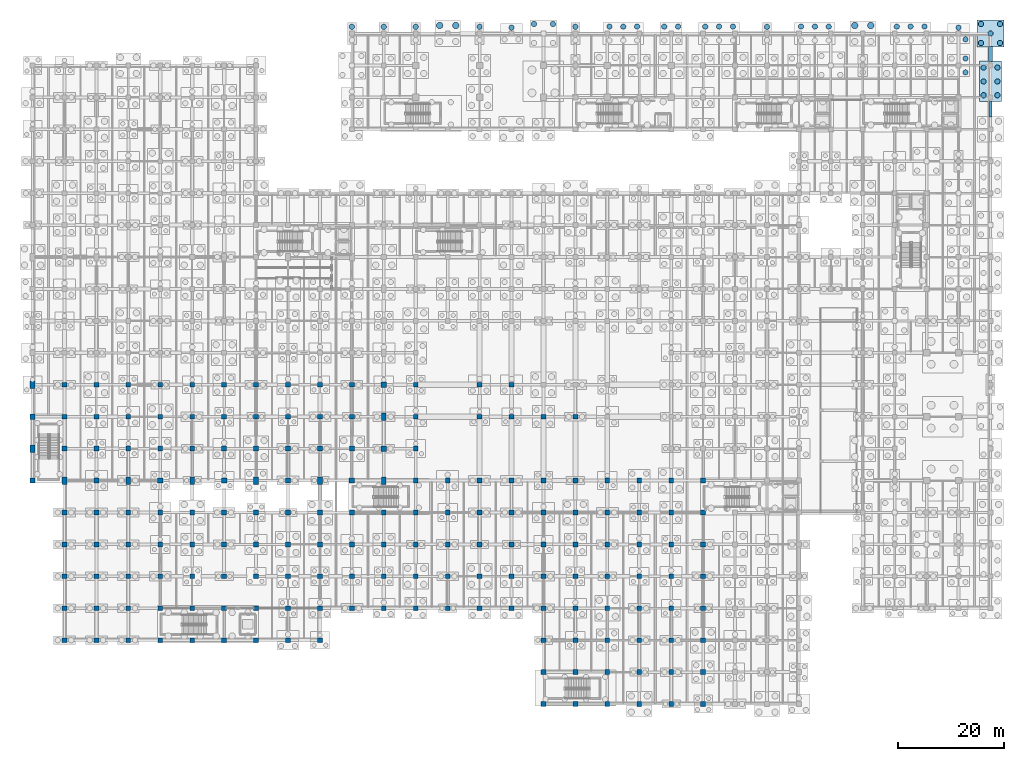
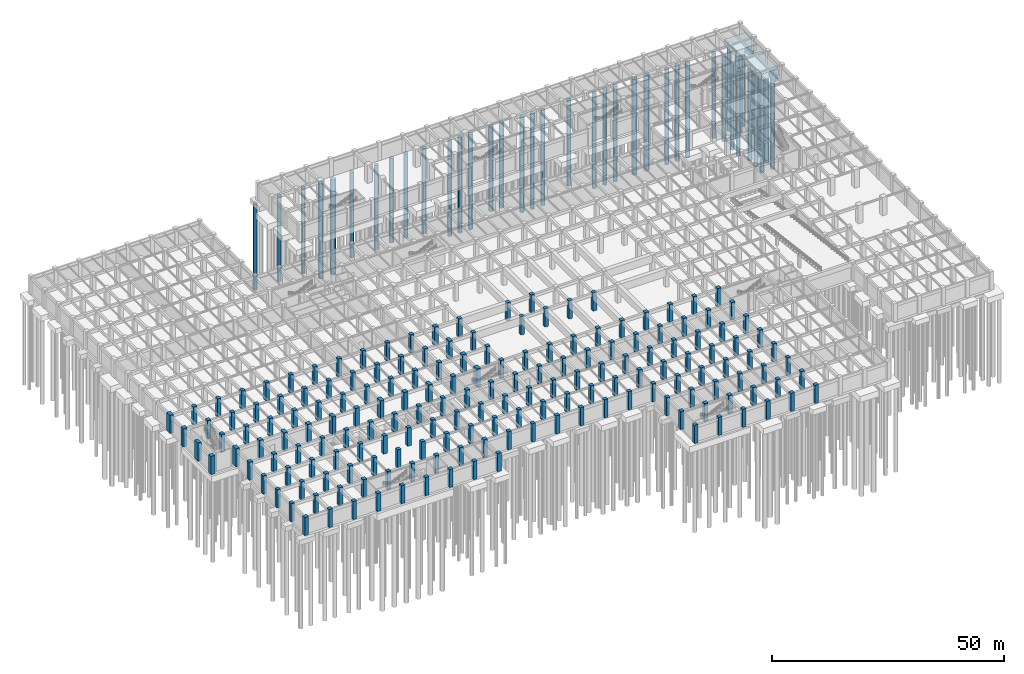
# One storey, part 23 of 54: 178 columns, 42 piles, 4 footings.
"""IFC4 building model written with IfcOpenShell, lengths in metres."""

import ifcopenshell
import ifcopenshell.guid

model = None  # the IFC model being written
_history = None  # IfcOwnerHistory: only IFC2X3 demands one
_inside = {}  # id of a spatial element -> (the spatial element, [elements in it])
_under = {}  # id of a project, library or spatial element -> (it, [spatial elements below it])
_declared = {}  # id of a project -> (the project, [libraries it declares])
_typed = {}  # id of a type object -> (the type object, [elements of that type])
_made_of = {}  # id of a material, layer set ... -> (it, [elements and type objects made of it])


def new_model(schema):
    """Start an empty IFC model of exactly this schema.

    Asked for "IFC4X3", IfcOpenShell would pick the latest addendum, in which some entities
    have other attributes; the version numbers below select the first issue.
    IFC2X3 requires an IfcOwnerHistory on every rooted entity: one is made here for all.
    """
    global model, _history
    if schema == "IFC4X3":
        model = ifcopenshell.file(schema_version=(4, 3, 0, 0))
    else:
        model = ifcopenshell.file(schema=schema)
    _inside.clear()
    _under.clear()
    _declared.clear()
    _typed.clear()
    _made_of.clear()
    _history = None
    if model.schema == "IFC2X3":
        org = make("IfcOrganization", Name="unknown")
        user = make(
            "IfcPersonAndOrganization",
            ThePerson=make("IfcPerson", FamilyName="unknown"),
            TheOrganization=org,
        )
        app = make(
            "IfcApplication",
            ApplicationDeveloper=org,
            Version="unknown",
            ApplicationFullName="unknown",
            ApplicationIdentifier="unknown",
        )
        _history = make(
            "IfcOwnerHistory",
            OwningUser=user,
            OwningApplication=app,
            ChangeAction="ADDED",
            CreationDate=0,
        )
    return model


def make(cls, **values):
    """One entity of the class cls with the attributes given. An attribute that is None is left unset."""
    return model.create_entity(
        cls, **{name: value for name, value in values.items() if value is not None}
    )


def rooted(cls, **values):
    """An entity with a GlobalId (a new one), such as an element, a storey or a relation."""
    return make(cls, GlobalId=ifcopenshell.guid.new(), OwnerHistory=_history, **values)


def si_unit(unit_type, name, prefix=None):
    """IfcSIUnit, for example si_unit("LENGTHUNIT", "METRE", prefix="MILLI")."""
    return make("IfcSIUnit", UnitType=unit_type, Prefix=prefix, Name=name)


def assignment(units):
    """IfcUnitAssignment: the units of a project."""
    return None if units is None else make("IfcUnitAssignment", Units=units)


def point(xyz):
    """IfcCartesianPoint."""
    return None if xyz is None else make("IfcCartesianPoint", Coordinates=xyz)


def direction(xyz):
    """IfcDirection."""
    return None if xyz is None else make("IfcDirection", DirectionRatios=xyz)


def frame(location, z_axis=None, x_axis=None):
    """IfcAxis2Placement3D, a coordinate frame: its origin and axes. An axis left out is left unset."""
    return make(
        "IfcAxis2Placement3D",
        Location=point(location),
        Axis=direction(z_axis),
        RefDirection=direction(x_axis),
    )


def frame_2d(location, x_axis=None):
    """IfcAxis2Placement2D, a coordinate frame in the plane: its origin and x axis."""
    return make(
        "IfcAxis2Placement2D", Location=point(location), RefDirection=direction(x_axis)
    )


def origin():
    """The frame at (0, 0, 0) with its axes left unset."""
    return frame((0.0, 0.0, 0.0))


def origin_2d():
    """The frame at (0, 0) in the plane with its x axis left unset."""
    return frame_2d((0.0, 0.0))


def place(relative_to, where):
    """IfcLocalPlacement: puts the frame where relative to a parent placement (None: the world)."""
    return make(
        "IfcLocalPlacement", PlacementRelTo=relative_to, RelativePlacement=where
    )


def context(
    kind, dimensions, precision=None, world=None, true_north=None, identifier=None
):
    """IfcGeometricRepresentationContext, for example the 3D "Model" context."""
    return make(
        "IfcGeometricRepresentationContext",
        ContextIdentifier=identifier,
        ContextType=kind,
        CoordinateSpaceDimension=dimensions,
        Precision=precision,
        WorldCoordinateSystem=world,
        TrueNorth=true_north,
    )


def subcontext(parent, identifier, kind, view, scale=None):
    """IfcGeometricRepresentationSubContext, for example "Body" below "Model"."""
    return make(
        "IfcGeometricRepresentationSubContext",
        ContextIdentifier=identifier,
        ContextType=kind,
        ParentContext=parent,
        TargetScale=scale,
        TargetView=view,
    )


def project(units=None, contexts=None):
    """IfcProject with its units and contexts."""
    return rooted(
        "IfcProject",
        Name="project",
        RepresentationContexts=contexts,
        UnitsInContext=assignment(units),
    )


def spatial(cls, under=None, at=None, **own):
    """A site, building, storey or space (cls), placed at a placement, below another one or the project."""
    s = rooted(cls, ObjectPlacement=at, **own)
    if under is not None:
        _under.setdefault(under.id(), (under, []))[1].append(s)
    return s


def profile(cls, at=None, kind="AREA", **sizes):
    """A parametric profile (cls). Its sizes go by their IFC names, for example OverallWidth=200.0."""
    return make(cls, ProfileType=kind, Position=at, **sizes)


def rectangle(**sizes):
    """IfcRectangleProfileDef."""
    return profile("IfcRectangleProfileDef", **sizes)


def circle(**sizes):
    """IfcCircleProfileDef."""
    return profile("IfcCircleProfileDef", **sizes)


def extrude(swept, where, along, depth):
    """IfcExtrudedAreaSolid: the profile swept, set in the frame where, extruded along a direction by depth."""
    return make(
        "IfcExtrudedAreaSolid",
        SweptArea=swept,
        Position=where,
        ExtrudedDirection=direction(along),
        Depth=depth,
    )


def shape(context_of_items, identifier, shape_type, items):
    """IfcShapeRepresentation: the items that make up one representation, for example the "Body"."""
    return make(
        "IfcShapeRepresentation",
        ContextOfItems=context_of_items,
        RepresentationIdentifier=identifier,
        RepresentationType=shape_type,
        Items=items,
    )


def material(Name=None, Category=None):
    """IfcMaterial."""
    return make("IfcMaterial", Name=Name, Category=Category)


def material_profile(
    of_material, cross_section, Name=None, Category=None, Priority=None
):
    """IfcMaterialProfile: a cross section and its material."""
    return make(
        "IfcMaterialProfile",
        Name=Name,
        Material=of_material,
        Profile=cross_section,
        Priority=Priority,
        Category=Category,
    )


def profile_set(profiles, Name=None, composite=None):
    """IfcMaterialProfileSet."""
    return make(
        "IfcMaterialProfileSet",
        Name=Name,
        MaterialProfiles=profiles,
        CompositeProfile=composite,
    )


def made_of(thing, what):
    """Note that an element or type object is made of a material, layer set ...; save() writes the relation."""
    if what is not None:
        _made_of.setdefault(what.id(), (what, []))[1].append(thing)
    return thing


def type_object(cls, material=None, **own):
    """A type object (cls), such as IfcWallType, which elements share."""
    return made_of(rooted(cls, **own), material)


def element(
    cls,
    number,
    at=None,
    inside=None,
    cuts=None,
    type_object=None,
    material=None,
    context=None,
    identifier="Body",
    shape_type=None,
    held_by="IfcProductDefinitionShape",
    body=None,
    shapes=None,
    **own,
):
    """One element of the class cls, such as IfcWall. Its Tag is "e" and its number.

    at: its placement. inside: the storey or other place that contains it. cuts: it is an
    opening in that element (IfcRelVoidsElement). A single representation is given by context,
    identifier, shape_type and body (its items); several are given by shapes. held_by: the class
    of the entity that holds the representations. save() writes the other relations.
    """
    e = rooted(cls, Tag="e%d" % number, ObjectPlacement=at, **own)
    if body is not None:
        shapes = [shape(context, identifier, shape_type, body)]
    if shapes is not None:
        e.Representation = make(held_by, Representations=shapes)
    if inside is not None:
        _inside.setdefault(inside.id(), (inside, []))[1].append(e)
    if cuts is not None:
        rooted(
            "IfcRelVoidsElement", RelatingBuildingElement=cuts, RelatedOpeningElement=e
        )
    if type_object is not None:
        _typed.setdefault(type_object.id(), (type_object, []))[1].append(e)
    return made_of(e, material)


def aggregate(whole, parts):
    """IfcRelAggregates: a whole, such as a stair, and the parts it consists of."""
    return rooted("IfcRelAggregates", RelatingObject=whole, RelatedObjects=parts)


def save(model, path):
    """Write the relations noted so far, then the file.

    IfcRelAggregates (storeys below a building ...), IfcRelContainedInSpatialStructure (elements
    in a storey), IfcRelDefinesByType, IfcRelAssociatesMaterial and IfcRelDeclares: one each for
    every whole, place, type object, material and project.
    """
    for whole, parts in _under.values():
        aggregate(whole, parts)
    for where, things in _inside.values():
        rooted(
            "IfcRelContainedInSpatialStructure",
            RelatedElements=things,
            RelatingStructure=where,
        )
    for kind, things in _typed.values():
        rooted("IfcRelDefinesByType", RelatedObjects=things, RelatingType=kind)
    for what, things in _made_of.values():
        rooted("IfcRelAssociatesMaterial", RelatedObjects=things, RelatingMaterial=what)
    for by, libraries in _declared.values():
        rooted("IfcRelDeclares", RelatingContext=by, RelatedDefinitions=libraries)
    model.write(path)


model = new_model("IFC4")

# Units and contexts
model_context = context("Model", 3, precision=1e-05, world=origin(), true_north=direction((0.0, 1.0)))
body_context = subcontext(model_context, "Body", "Model", "MODEL_VIEW")
ifc_project = project(units=[si_unit("LENGTHUNIT", "METRE"), si_unit("AREAUNIT", "SQUARE_METRE"), si_unit("VOLUMEUNIT", "CUBIC_METRE"), si_unit("PLANEANGLEUNIT", "RADIAN"), si_unit("MASSUNIT", "GRAM", prefix="KILO"), si_unit("THERMODYNAMICTEMPERATUREUNIT", "KELVIN"), si_unit("POWERUNIT", "WATT")], contexts=[model_context])

# Site, building, storey
site_placement = place(None, origin())
site = spatial("IfcSite", under=ifc_project, at=site_placement, CompositionType="ELEMENT")
building_placement = place(site_placement, origin())
building = spatial("IfcBuilding", under=site, at=building_placement, Name="Phaisarnlok Congress Hotel", CompositionType="ELEMENT")
storey_placement = place(building_placement, frame((0.0, 0.0, -4.800048828125)))
storey = spatial("IfcBuildingStorey", under=building, at=storey_placement, Name="B01", CompositionType="ELEMENT", Elevation=-4.800048828125)

# Footings
ifc_material_1 = material(Name="Concrete C40/50", Category="concrete")
footing_type_1 = type_object("IfcFootingType", Name="CAP-5P-A", PredefinedType="PILE_CAP", material=ifc_material_1)
footing_1_placement = place(storey_placement, frame((180.0, 126.0, -2.0498046875), z_axis=(0.0, 0.0, 1.0), x_axis=(1.0, 0.0, 0.0)))
element("IfcFooting", 1, at=footing_1_placement, inside=storey, type_object=footing_type_1, Name="Pile cap PC-13 at (180,126)", PredefinedType="PILE_CAP", context=body_context, shape_type="SweptSolid", body=[
    extrude(rectangle(XDim=5.080078125, YDim=5.080078125, at=origin_2d()), origin(), (0.0, 0.0, 1.0), 1.550048828125),
])
footing_type_2 = type_object("IfcFootingType", Name="CAP-6P-B", PredefinedType="PILE_CAP", material=ifc_material_1)
footing_2_placement = place(storey_placement, frame((180.0, 117.0, -2.19970703125), z_axis=(0.0, 0.0, 1.0), x_axis=(1.0, 0.0, 0.0)))
element("IfcFooting", 2, at=footing_2_placement, inside=storey, type_object=footing_type_2, Name="Combined pile cap PC-12 at (180,117)", PredefinedType="PILE_CAP", context=body_context, shape_type="SweptSolid", body=[
    extrude(rectangle(XDim=4.159912109375, YDim=7.639892578125, at=origin_2d()), origin(), (0.0, 0.0, 1.0), 1.699951171875),
])
ifc_material_profile_1 = material_profile(ifc_material_1, rectangle(XDim=0.60009765625, YDim=1.0, at=origin_2d()), Name="FB-600x1000")
ifc_profile_set_1 = profile_set([ifc_material_profile_1], Name="Concrete C40/50")
footing_type_3 = type_object("IfcFootingType", Name="FB-600x1000", PredefinedType="FOOTING_BEAM", material=ifc_profile_set_1)
footing_3_placement = place(storey_placement, frame((180.0, 110.344970703125, -1.0), z_axis=(0.0, 1.0, 0.0), x_axis=(-1.0, 0.0, 0.0)))
element("IfcFooting", 3, at=footing_3_placement, inside=storey, type_object=footing_type_3, Name="Ground tie beam FB-03", PredefinedType="FOOTING_BEAM", context=body_context, shape_type="SweptSolid", body=[
    extrude(rectangle(XDim=0.60009765625, YDim=1.0, at=origin_2d()), origin(), (0.0, 0.0, 1.0), 2.909912109375),
])
ifc_material_profile_2 = material_profile(ifc_material_1, rectangle(XDim=0.699951171875, YDim=1.10009765625, at=origin_2d()), Name="FB-700x1100")
ifc_profile_set_2 = profile_set([ifc_material_profile_2], Name="Concrete C40/50")
footing_type_4 = type_object("IfcFootingType", Name="FB-700x1100", PredefinedType="FOOTING_BEAM", material=ifc_profile_set_2)
footing_4_placement = place(storey_placement, frame((180.0, 120.7451171875, -1.050048828125), z_axis=(0.0, 1.0, 0.0), x_axis=(-1.0, 0.0, 0.0)))
element("IfcFooting", 4, at=footing_4_placement, inside=storey, type_object=footing_type_4, Name="Ground tie beam FB-04", PredefinedType="FOOTING_BEAM", context=body_context, shape_type="SweptSolid", body=[
    extrude(rectangle(XDim=0.699951171875, YDim=1.10009765625, at=origin_2d()), origin(), (0.0, 0.0, 1.0), 2.789794921875),
])

# Piles
ifc_material_2 = material(Name="Concrete C35/45", Category="concrete")
ifc_material_profile_3 = material_profile(ifc_material_2, circle(Radius=0.5, at=origin_2d()), Name="BORED PILE D1000")
ifc_profile_set_3 = profile_set([ifc_material_profile_3], Name="Concrete C35/45")
pile_type_1 = type_object("IfcPileType", Name="PILE-D1000", PredefinedType="BORED", material=ifc_profile_set_3)
for number, where, z_axis, x_axis, name in (
    (5, (108.39990234375, 127.300048828125, -2.050048828125), (0.0, 0.0, -1.0), (1.0, 0.0, 0.0), "Bored pile PL-02 (FTG-B01-108-126-4)"),
    (6, (111.0, 127.300048828125, -2.050048828125), (0.0, 0.0, -1.0), (1.0, 0.0, 0.0), "Bored pile PL-02 (FTG-B01-108-126-5)"),
    (7, (113.60009765625, 127.300048828125, -2.050048828125), (0.0, 0.0, -1.0), (1.0, 0.0, 0.0), "Bored pile PL-02 (FTG-B01-108-126-6)"),
    (8, (126.39990234375, 127.300048828125, -2.050048828125), (0.0, 0.0, -1.0), (1.0, 0.0, 0.0), "Bored pile PL-02 (FTG-B01-126-126-4)"),
    (9, (129.0, 127.300048828125, -2.050048828125), (0.0, 0.0, -1.0), (1.0, 0.0, 0.0), "Bored pile PL-02 (FTG-B01-126-126-5)"),
    (10, (131.60009765625, 127.300048828125, -2.050048828125), (0.0, 0.0, -1.0), (1.0, 0.0, 0.0), "Bored pile PL-02 (FTG-B01-126-126-6)"),
    (11, (144.39990234375, 127.300048828125, -2.050048828125), (0.0, 0.0, -1.0), (1.0, 0.0, 0.0), "Bored pile PL-02 (FTG-B01-144-126-4)"),
    (12, (147.0, 127.300048828125, -2.050048828125), (0.0, 0.0, -1.0), (1.0, 0.0, 0.0), "Bored pile PL-02 (FTG-B01-144-126-5)"),
    (13, (149.60009765625, 127.300048828125, -2.050048828125), (0.0, 0.0, -1.0), (1.0, 0.0, 0.0), "Bored pile PL-02 (FTG-B01-144-126-6)"),
    (14, (162.39990234375, 127.300048828125, -2.050048828125), (0.0, 0.0, -1.0), (1.0, 0.0, 0.0), "Bored pile PL-02 (FTG-B01-162-126-4)"),
    (15, (165.0, 127.300048828125, -2.050048828125), (0.0, 0.0, -1.0), (1.0, 0.0, 0.0), "Bored pile PL-02 (FTG-B01-162-126-5)"),
    (16, (167.60009765625, 127.300048828125, -2.050048828125), (0.0, 0.0, -1.0), (1.0, 0.0, 0.0), "Bored pile PL-02 (FTG-B01-162-126-6)"),
):
    element("IfcPile", number, at=place(storey_placement, frame(where, z_axis=z_axis, x_axis=x_axis)), inside=storey, type_object=pile_type_1, Name=name, PredefinedType="BORED", context=body_context, shape_type="SweptSolid", body=[
        extrude(circle(Radius=0.5, at=origin_2d()), origin(), (0.0, 0.0, 1.0), 25.14990234375),
    ])
for number, where, z_axis, x_axis, name in (
    (17, (178.699951171875, 114.39990234375, -2.099853515625), (0.0, 0.0, -1.0), (1.0, 0.0, 0.0), "Bored pile PL-02 (FTG-B01-180-114-1)"),
    (18, (181.300048828125, 114.39990234375, -2.099853515625), (0.0, 0.0, -1.0), (1.0, 0.0, 0.0), "Bored pile PL-02 (FTG-B01-180-114-2)"),
    (19, (178.699951171875, 117.0, -2.099853515625), (0.0, 0.0, -1.0), (1.0, 0.0, 0.0), "Bored pile PL-02 (FTG-B01-180-114-3)"),
    (20, (181.300048828125, 117.0, -2.099853515625), (0.0, 0.0, -1.0), (1.0, 0.0, 0.0), "Bored pile PL-02 (FTG-B01-180-114-4)"),
    (21, (178.699951171875, 119.60009765625, -2.099853515625), (0.0, 0.0, -1.0), (1.0, 0.0, 0.0), "Bored pile PL-02 (FTG-B01-180-114-5)"),
    (22, (181.300048828125, 119.60009765625, -2.099853515625), (0.0, 0.0, -1.0), (1.0, 0.0, 0.0), "Bored pile PL-02 (FTG-B01-180-114-6)"),
):
    element("IfcPile", number, at=place(storey_placement, frame(where, z_axis=z_axis, x_axis=x_axis)), inside=storey, type_object=pile_type_1, Name=name, PredefinedType="BORED", context=body_context, shape_type="SweptSolid", body=[
        extrude(circle(Radius=0.5, at=origin_2d()), origin(), (0.0, 0.0, 1.0), 25.10009765625),
    ])
for number, where, z_axis, x_axis, name in (
    (23, (60.0, 127.260009765625, -1.64990234375), (0.0, 0.0, -1.0), (1.0, 0.0, 0.0), "Bored pile PL-02 (FTG-B01-060-126-2)"),
    (24, (66.0, 127.260009765625, -1.64990234375), (0.0, 0.0, -1.0), (1.0, 0.0, 0.0), "Bored pile PL-02 (FTG-B01-066-126-2)"),
    (25, (72.0, 127.260009765625, -1.64990234375), (0.0, 0.0, -1.0), (1.0, 0.0, 0.0), "Bored pile PL-02 (FTG-B01-072-126-2)"),
    (26, (84.0, 127.260009765625, -1.64990234375), (0.0, 0.0, -1.0), (1.0, 0.0, 0.0), "Bored pile PL-02 (FTG-B01-084-126-2)"),
):
    element("IfcPile", number, at=place(storey_placement, frame(where, z_axis=z_axis, x_axis=x_axis)), inside=storey, type_object=pile_type_1, Name=name, PredefinedType="BORED", context=body_context, shape_type="SweptSolid", body=[
        extrude(circle(Radius=0.5, at=origin_2d()), origin(), (0.0, 0.0, 1.0), 22.550048828125),
    ])
pile_1_placement = place(storey_placement, frame((90.0, 127.10009765625, -1.849853515625), z_axis=(0.0, 0.0, -1.0), x_axis=(1.0, 0.0, 0.0)))
element("IfcPile", 27, at=pile_1_placement, inside=storey, type_object=pile_type_1, Name="Bored pile PL-02 (FTG-B01-090-126-3)", PredefinedType="BORED", context=body_context, shape_type="SweptSolid", body=[
    extrude(circle(Radius=0.5, at=origin_2d()), origin(), (0.0, 0.0, 1.0), 22.35009765625),
])
for number, where, z_axis, x_axis, name in (
    (28, (94.219970703125, 127.780029296875, -1.949951171875), (0.0, 0.0, -1.0), (1.0, 0.0, 0.0), "Bored pile PL-02 (FTG-B01-096-126-4)"),
    (29, (97.780029296875, 127.780029296875, -1.949951171875), (0.0, 0.0, -1.0), (1.0, 0.0, 0.0), "Bored pile PL-02 (FTG-B01-096-126-5)"),
):
    element("IfcPile", number, at=place(storey_placement, frame(where, z_axis=z_axis, x_axis=x_axis)), inside=storey, type_object=pile_type_1, Name=name, PredefinedType="BORED", context=body_context, shape_type="SweptSolid", body=[
        extrude(circle(Radius=0.5, at=origin_2d()), origin(), (0.0, 0.0, 1.0), 22.25),
    ])
pile_2_placement = place(storey_placement, frame((102.0, 127.260009765625, -1.64990234375), z_axis=(0.0, 0.0, -1.0), x_axis=(1.0, 0.0, 0.0)))
element("IfcPile", 30, at=pile_2_placement, inside=storey, type_object=pile_type_1, Name="Bored pile PL-02 (FTG-B01-102-126-2)", PredefinedType="BORED", context=body_context, shape_type="SweptSolid", body=[
    extrude(circle(Radius=0.5, at=origin_2d()), origin(), (0.0, 0.0, 1.0), 22.550048828125),
])
for number, where, z_axis, x_axis, name in (
    (31, (118.699951171875, 127.300048828125, -1.849853515625), (0.0, 0.0, -1.0), (1.0, 0.0, 0.0), "Bored pile PL-02 (FTG-B01-120-126-3)"),
    (32, (121.300048828125, 127.300048828125, -1.849853515625), (0.0, 0.0, -1.0), (1.0, 0.0, 0.0), "Bored pile PL-02 (FTG-B01-120-126-4)"),
):
    element("IfcPile", number, at=place(storey_placement, frame(where, z_axis=z_axis, x_axis=x_axis)), inside=storey, type_object=pile_type_1, Name=name, PredefinedType="BORED", context=body_context, shape_type="SweptSolid", body=[
        extrude(circle(Radius=0.5, at=origin_2d()), origin(), (0.0, 0.0, 1.0), 22.35009765625),
    ])
pile_3_placement = place(storey_placement, frame((138.0, 127.260009765625, -1.64990234375), z_axis=(0.0, 0.0, -1.0), x_axis=(1.0, 0.0, 0.0)))
element("IfcPile", 33, at=pile_3_placement, inside=storey, type_object=pile_type_1, Name="Bored pile PL-02 (FTG-B01-138-126-2)", PredefinedType="BORED", context=body_context, shape_type="SweptSolid", body=[
    extrude(circle(Radius=0.5, at=origin_2d()), origin(), (0.0, 0.0, 1.0), 22.550048828125),
])
for number, where, z_axis, x_axis, name in (
    (34, (175.300048828125, 118.699951171875, -1.849853515625), (0.0, 0.0, -1.0), (1.0, 0.0, 0.0), "Bored pile PL-02 (FTG-B01-174-120-2)"),
    (35, (175.300048828125, 121.300048828125, -1.849853515625), (0.0, 0.0, -1.0), (1.0, 0.0, 0.0), "Bored pile PL-02 (FTG-B01-174-120-4)"),
    (36, (175.300048828125, 124.89990234375, -1.849853515625), (0.0, 0.0, -1.0), (1.0, 0.0, 0.0), "Bored pile PL-02 (FTG-B01-174-126-2)"),
    (37, (174.0, 127.10009765625, -1.849853515625), (0.0, 0.0, -1.0), (1.0, 0.0, 0.0), "Bored pile PL-02 (FTG-B01-174-126-3)"),
):
    element("IfcPile", number, at=place(storey_placement, frame(where, z_axis=z_axis, x_axis=x_axis)), inside=storey, type_object=pile_type_1, Name=name, PredefinedType="BORED", context=body_context, shape_type="SweptSolid", body=[
        extrude(circle(Radius=0.5, at=origin_2d()), origin(), (0.0, 0.0, 1.0), 22.35009765625),
    ])
for number, where, z_axis, x_axis, name in (
    (38, (178.219970703125, 124.219970703125, -1.949951171875), (0.0, 0.0, -1.0), (1.0, 0.0, 0.0), "Bored pile PL-02 (FTG-B01-180-126-1)"),
    (39, (181.780029296875, 124.219970703125, -1.949951171875), (0.0, 0.0, -1.0), (1.0, 0.0, 0.0), "Bored pile PL-02 (FTG-B01-180-126-2)"),
    (40, (180.0, 126.0, -1.949951171875), (0.0, 0.0, -1.0), (1.0, 0.0, 0.0), "Bored pile PL-02 (FTG-B01-180-126-3)"),
    (41, (178.219970703125, 127.780029296875, -1.949951171875), (0.0, 0.0, -1.0), (1.0, 0.0, 0.0), "Bored pile PL-02 (FTG-B01-180-126-4)"),
    (42, (181.780029296875, 127.780029296875, -1.949951171875), (0.0, 0.0, -1.0), (1.0, 0.0, 0.0), "Bored pile PL-02 (FTG-B01-180-126-5)"),
):
    element("IfcPile", number, at=place(storey_placement, frame(where, z_axis=z_axis, x_axis=x_axis)), inside=storey, type_object=pile_type_1, Name=name, PredefinedType="BORED", context=body_context, shape_type="SweptSolid", body=[
        extrude(circle(Radius=0.5, at=origin_2d()), origin(), (0.0, 0.0, 1.0), 22.25),
    ])
ifc_material_profile_4 = material_profile(ifc_material_2, circle(Radius=0.60009765625, at=origin_2d()), Name="BORED PILE D1200")
ifc_profile_set_4 = profile_set([ifc_material_profile_4], Name="Concrete C35/45")
pile_type_2 = type_object("IfcPileType", Name="PILE-D1200", PredefinedType="BORED", material=ifc_profile_set_4)
for number, where, z_axis, x_axis, name in (
    (43, (76.489990234375, 127.510009765625, -2.14990234375), (0.0, 0.0, -1.0), (1.0, 0.0, 0.0), "Bored pile PL-03 (FTG-B01-078-126-3)"),
    (44, (79.510009765625, 127.510009765625, -2.14990234375), (0.0, 0.0, -1.0), (1.0, 0.0, 0.0), "Bored pile PL-03 (FTG-B01-078-126-4)"),
):
    element("IfcPile", number, at=place(storey_placement, frame(where, z_axis=z_axis, x_axis=x_axis)), inside=storey, type_object=pile_type_2, Name=name, PredefinedType="BORED", context=body_context, shape_type="SweptSolid", body=[
        extrude(circle(Radius=0.60009765625, at=origin_2d()), origin(), (0.0, 0.0, 1.0), 25.050048828125),
    ])
for number, where, z_axis, x_axis, name in (
    (45, (154.489990234375, 127.510009765625, -2.0), (0.0, 0.0, -1.0), (1.0, 0.0, 0.0), "Bored pile PL-03 (FTG-B01-156-126-3)"),
    (46, (157.510009765625, 127.510009765625, -2.0), (0.0, 0.0, -1.0), (1.0, 0.0, 0.0), "Bored pile PL-03 (FTG-B01-156-126-4)"),
):
    element("IfcPile", number, at=place(storey_placement, frame(where, z_axis=z_axis, x_axis=x_axis)), inside=storey, type_object=pile_type_2, Name=name, PredefinedType="BORED", context=body_context, shape_type="SweptSolid", body=[
        extrude(circle(Radius=0.60009765625, at=origin_2d()), origin(), (0.0, 0.0, 1.0), 25.199951171875),
    ])

# Columns
ifc_material_3 = material(Name="Concrete C50/60", Category="concrete")
ifc_material_profile_5 = material_profile(ifc_material_3, rectangle(XDim=1.0, YDim=1.0, at=origin_2d()), Name="RC 1000x1000")
ifc_profile_set_5 = profile_set([ifc_material_profile_5], Name="Concrete C50/60")
column_type_1 = type_object("IfcColumnType", Name="COL-RC-1000", PredefinedType="COLUMN", material=ifc_profile_set_5)
for number, where, z_axis, x_axis, name in (
    (47, (12.0, 42.0, 0.0), (0.0, 0.0, 1.0), (1.0, 0.0, 0.0), "Column C-09 (B01)"),
    (48, (24.0, 42.0, 0.0), (0.0, 0.0, 1.0), (1.0, 0.0, 0.0), "Column C-09 (B01)"),
    (49, (36.0, 42.0, 0.0), (0.0, 0.0, 1.0), (1.0, 0.0, 0.0), "Column C-09 (B01)"),
    (50, (48.0, 42.0, 0.0), (0.0, 0.0, 1.0), (1.0, 0.0, 0.0), "Column C-09 (B01)"),
    (51, (60.0, 42.0, 0.0), (0.0, 0.0, 1.0), (1.0, 0.0, 0.0), "Column C-09 (B01)"),
    (52, (66.0, 48.0, 0.0), (0.0, 0.0, 1.0), (1.0, 0.0, 0.0), "Column C-09 (B01)"),
    (53, (66.0, 60.0, 0.0), (0.0, 0.0, 1.0), (1.0, 0.0, 0.0), "Column C-09 (B01)"),
):
    element("IfcColumn", number, at=place(storey_placement, frame(where, z_axis=z_axis, x_axis=x_axis)), inside=storey, type_object=column_type_1, Name=name, PredefinedType="COLUMN", context=body_context, shape_type="SweptSolid", body=[
        extrude(rectangle(XDim=1.0, YDim=1.0, at=origin_2d()), origin(), (0.0, 0.0, 1.0), 4.800048828125),
    ])
ifc_material_profile_6 = material_profile(ifc_material_3, rectangle(XDim=1.0, YDim=1.0, at=origin_2d()), Name="RC 1000x1000")
ifc_profile_set_6 = profile_set([ifc_material_profile_6], Name="Concrete C50/60")
column_type_2 = type_object("IfcColumnType", Name="COL-RC-1000-EXT", PredefinedType="COLUMN", material=ifc_profile_set_6)
for number, where, z_axis, x_axis, name in (
    (54, (0.0, 42.0, 0.0), (0.0, 0.0, 1.0), (1.0, 0.0, 0.0), "Column C-09E (B01)"),
    (55, (0.0, 54.0, 0.0), (0.0, 0.0, 1.0), (1.0, 0.0, 0.0), "Column C-09E (B01)"),
):
    element("IfcColumn", number, at=place(storey_placement, frame(where, z_axis=z_axis, x_axis=x_axis)), inside=storey, type_object=column_type_2, Name=name, PredefinedType="COLUMN", context=body_context, shape_type="SweptSolid", body=[
        extrude(rectangle(XDim=1.0, YDim=1.0, at=origin_2d()), origin(), (0.0, 0.0, 1.0), 4.800048828125),
    ])
ifc_material_profile_7 = material_profile(ifc_material_3, rectangle(XDim=0.89990234375, YDim=0.89990234375, at=origin_2d()), Name="RC 900x900")
ifc_profile_set_7 = profile_set([ifc_material_profile_7], Name="Concrete C50/60")
column_type_3 = type_object("IfcColumnType", Name="COL-RC-900", PredefinedType="COLUMN", material=ifc_profile_set_7)
for number, where, z_axis, x_axis, name in (
    (56, (6.0, 12.0, 0.0), (0.0, 0.0, 1.0), (1.0, 0.0, 0.0), "Column C-08 (B01)"),
    (57, (6.0, 18.0, 0.0), (0.0, 0.0, 1.0), (1.0, 0.0, 0.0), "Column C-08 (B01)"),
    (58, (6.0, 24.0, 0.0), (0.0, 0.0, 1.0), (1.0, 0.0, 0.0), "Column C-08 (B01)"),
    (59, (6.0, 30.0, 0.0), (0.0, 0.0, 1.0), (1.0, 0.0, 0.0), "Column C-08 (B01)"),
    (60, (6.0, 36.0, 0.0), (0.0, 0.0, 1.0), (1.0, 0.0, 0.0), "Column C-08 (B01)"),
    (61, (6.0, 48.0, 0.0), (0.0, 0.0, 1.0), (1.0, 0.0, 0.0), "Column C-08 (B01)"),
    (62, (6.0, 54.0, 0.0), (0.0, 0.0, 1.0), (1.0, 0.0, 0.0), "Column C-08 (B01)"),
    (63, (6.0, 60.0, 0.0), (0.0, 0.0, 1.0), (1.0, 0.0, 0.0), "Column C-08 (B01)"),
    (64, (12.0, 12.0, 0.0), (0.0, 0.0, 1.0), (1.0, 0.0, 0.0), "Column C-08 (B01)"),
    (65, (12.0, 18.0, 0.0), (0.0, 0.0, 1.0), (1.0, 0.0, 0.0), "Column C-08 (B01)"),
    (66, (12.0, 24.0, 0.0), (0.0, 0.0, 1.0), (1.0, 0.0, 0.0), "Column C-08 (B01)"),
    (67, (12.0, 30.0, 0.0), (0.0, 0.0, 1.0), (1.0, 0.0, 0.0), "Column C-08 (B01)"),
    (68, (12.0, 36.0, 0.0), (0.0, 0.0, 1.0), (1.0, 0.0, 0.0), "Column C-08 (B01)"),
    (69, (12.0, 48.0, 0.0), (0.0, 0.0, 1.0), (1.0, 0.0, 0.0), "Column C-08 (B01)"),
    (70, (12.0, 54.0, 0.0), (0.0, 0.0, 1.0), (1.0, 0.0, 0.0), "Column C-08 (B01)"),
    (71, (12.0, 60.0, 0.0), (0.0, 0.0, 1.0), (1.0, 0.0, 0.0), "Column C-08 (B01)"),
    (72, (18.0, 12.0, 0.0), (0.0, 0.0, 1.0), (1.0, 0.0, 0.0), "Column C-08 (B01)"),
    (73, (18.0, 18.0, 0.0), (0.0, 0.0, 1.0), (1.0, 0.0, 0.0), "Column C-08 (B01)"),
    (74, (18.0, 24.0, 0.0), (0.0, 0.0, 1.0), (1.0, 0.0, 0.0), "Column C-08 (B01)"),
    (75, (18.0, 30.0, 0.0), (0.0, 0.0, 1.0), (1.0, 0.0, 0.0), "Column C-08 (B01)"),
    (76, (18.0, 36.0, 0.0), (0.0, 0.0, 1.0), (1.0, 0.0, 0.0), "Column C-08 (B01)"),
    (77, (18.0, 48.0, 0.0), (0.0, 0.0, 1.0), (1.0, 0.0, 0.0), "Column C-08 (B01)"),
    (78, (18.0, 54.0, 0.0), (0.0, 0.0, 1.0), (1.0, 0.0, 0.0), "Column C-08 (B01)"),
    (79, (18.0, 60.0, 0.0), (0.0, 0.0, 1.0), (1.0, 0.0, 0.0), "Column C-08 (B01)"),
    (80, (24.0, 12.0, 0.0), (0.0, 0.0, 1.0), (1.0, 0.0, 0.0), "Column C-08 (B01)"),
    (81, (24.0, 18.0, 0.0), (0.0, 0.0, 1.0), (1.0, 0.0, 0.0), "Column C-08 (B01)"),
    (82, (24.0, 24.0, 0.0), (0.0, 0.0, 1.0), (1.0, 0.0, 0.0), "Column C-08 (B01)"),
    (83, (24.0, 30.0, 0.0), (0.0, 0.0, 1.0), (1.0, 0.0, 0.0), "Column C-08 (B01)"),
    (84, (24.0, 36.0, 0.0), (0.0, 0.0, 1.0), (1.0, 0.0, 0.0), "Column C-08 (B01)"),
    (85, (24.0, 48.0, 0.0), (0.0, 0.0, 1.0), (1.0, 0.0, 0.0), "Column C-08 (B01)"),
    (86, (24.0, 54.0, 0.0), (0.0, 0.0, 1.0), (1.0, 0.0, 0.0), "Column C-08 (B01)"),
    (87, (24.0, 60.0, 0.0), (0.0, 0.0, 1.0), (1.0, 0.0, 0.0), "Column C-08 (B01)"),
    (88, (30.0, 12.0, 0.0), (0.0, 0.0, 1.0), (1.0, 0.0, 0.0), "Column C-08 (B01)"),
    (89, (30.0, 18.0, 0.0), (0.0, 0.0, 1.0), (1.0, 0.0, 0.0), "Column C-08 (B01)"),
    (90, (30.0, 24.0, 0.0), (0.0, 0.0, 1.0), (1.0, 0.0, 0.0), "Column C-08 (B01)"),
    (91, (30.0, 30.0, 0.0), (0.0, 0.0, 1.0), (1.0, 0.0, 0.0), "Column C-08 (B01)"),
    (92, (30.0, 36.0, 0.0), (0.0, 0.0, 1.0), (1.0, 0.0, 0.0), "Column C-08 (B01)"),
    (93, (30.0, 48.0, 0.0), (0.0, 0.0, 1.0), (1.0, 0.0, 0.0), "Column C-08 (B01)"),
    (94, (30.0, 54.0, 0.0), (0.0, 0.0, 1.0), (1.0, 0.0, 0.0), "Column C-08 (B01)"),
    (95, (30.0, 60.0, 0.0), (0.0, 0.0, 1.0), (1.0, 0.0, 0.0), "Column C-08 (B01)"),
    (96, (36.0, 12.0, 0.0), (0.0, 0.0, 1.0), (1.0, 0.0, 0.0), "Column C-08 (B01)"),
    (97, (36.0, 18.0, 0.0), (0.0, 0.0, 1.0), (1.0, 0.0, 0.0), "Column C-08 (B01)"),
    (98, (36.0, 24.0, 0.0), (0.0, 0.0, 1.0), (1.0, 0.0, 0.0), "Column C-08 (B01)"),
    (99, (36.0, 30.0, 0.0), (0.0, 0.0, 1.0), (1.0, 0.0, 0.0), "Column C-08 (B01)"),
    (100, (36.0, 36.0, 0.0), (0.0, 0.0, 1.0), (1.0, 0.0, 0.0), "Column C-08 (B01)"),
    (101, (36.0, 48.0, 0.0), (0.0, 0.0, 1.0), (1.0, 0.0, 0.0), "Column C-08 (B01)"),
    (102, (36.0, 54.0, 0.0), (0.0, 0.0, 1.0), (1.0, 0.0, 0.0), "Column C-08 (B01)"),
    (103, (36.0, 60.0, 0.0), (0.0, 0.0, 1.0), (1.0, 0.0, 0.0), "Column C-08 (B01)"),
    (104, (42.0, 12.0, 0.0), (0.0, 0.0, 1.0), (1.0, 0.0, 0.0), "Column C-08 (B01)"),
    (105, (42.0, 18.0, 0.0), (0.0, 0.0, 1.0), (1.0, 0.0, 0.0), "Column C-08 (B01)"),
    (106, (42.0, 24.0, 0.0), (0.0, 0.0, 1.0), (1.0, 0.0, 0.0), "Column C-08 (B01)"),
    (107, (42.0, 30.0, 0.0), (0.0, 0.0, 1.0), (1.0, 0.0, 0.0), "Column C-08 (B01)"),
    (108, (42.0, 36.0, 0.0), (0.0, 0.0, 1.0), (1.0, 0.0, 0.0), "Column C-08 (B01)"),
    (109, (42.0, 48.0, 0.0), (0.0, 0.0, 1.0), (1.0, 0.0, 0.0), "Column C-08 (B01)"),
    (110, (42.0, 54.0, 0.0), (0.0, 0.0, 1.0), (1.0, 0.0, 0.0), "Column C-08 (B01)"),
    (111, (42.0, 60.0, 0.0), (0.0, 0.0, 1.0), (1.0, 0.0, 0.0), "Column C-08 (B01)"),
    (112, (48.0, 12.0, 0.0), (0.0, 0.0, 1.0), (1.0, 0.0, 0.0), "Column C-08 (B01)"),
    (113, (48.0, 18.0, 0.0), (0.0, 0.0, 1.0), (1.0, 0.0, 0.0), "Column C-08 (B01)"),
    (114, (48.0, 24.0, 0.0), (0.0, 0.0, 1.0), (1.0, 0.0, 0.0), "Column C-08 (B01)"),
    (115, (48.0, 30.0, 0.0), (0.0, 0.0, 1.0), (1.0, 0.0, 0.0), "Column C-08 (B01)"),
    (116, (48.0, 36.0, 0.0), (0.0, 0.0, 1.0), (1.0, 0.0, 0.0), "Column C-08 (B01)"),
    (117, (48.0, 48.0, 0.0), (0.0, 0.0, 1.0), (1.0, 0.0, 0.0), "Column C-08 (B01)"),
    (118, (48.0, 54.0, 0.0), (0.0, 0.0, 1.0), (1.0, 0.0, 0.0), "Column C-08 (B01)"),
    (119, (48.0, 60.0, 0.0), (0.0, 0.0, 1.0), (1.0, 0.0, 0.0), "Column C-08 (B01)"),
    (120, (54.0, 12.0, 0.0), (0.0, 0.0, 1.0), (1.0, 0.0, 0.0), "Column C-08 (B01)"),
    (121, (54.0, 18.0, 0.0), (0.0, 0.0, 1.0), (1.0, 0.0, 0.0), "Column C-08 (B01)"),
    (122, (54.0, 24.0, 0.0), (0.0, 0.0, 1.0), (1.0, 0.0, 0.0), "Column C-08 (B01)"),
    (123, (54.0, 30.0, 0.0), (0.0, 0.0, 1.0), (1.0, 0.0, 0.0), "Column C-08 (B01)"),
    (124, (54.0, 36.0, 0.0), (0.0, 0.0, 1.0), (1.0, 0.0, 0.0), "Column C-08 (B01)"),
    (125, (54.0, 48.0, 0.0), (0.0, 0.0, 1.0), (1.0, 0.0, 0.0), "Column C-08 (B01)"),
    (126, (54.0, 54.0, 0.0), (0.0, 0.0, 1.0), (1.0, 0.0, 0.0), "Column C-08 (B01)"),
    (127, (54.0, 60.0, 0.0), (0.0, 0.0, 1.0), (1.0, 0.0, 0.0), "Column C-08 (B01)"),
    (128, (60.0, 18.0, 0.0), (0.0, 0.0, 1.0), (1.0, 0.0, 0.0), "Column C-08 (B01)"),
    (129, (60.0, 24.0, 0.0), (0.0, 0.0, 1.0), (1.0, 0.0, 0.0), "Column C-08 (B01)"),
    (130, (60.0, 30.0, 0.0), (0.0, 0.0, 1.0), (1.0, 0.0, 0.0), "Column C-08 (B01)"),
    (131, (60.0, 36.0, 0.0), (0.0, 0.0, 1.0), (1.0, 0.0, 0.0), "Column C-08 (B01)"),
    (132, (60.0, 48.0, 0.0), (0.0, 0.0, 1.0), (1.0, 0.0, 0.0), "Column C-08 (B01)"),
    (133, (60.0, 54.0, 0.0), (0.0, 0.0, 1.0), (1.0, 0.0, 0.0), "Column C-08 (B01)"),
    (134, (60.0, 60.0, 0.0), (0.0, 0.0, 1.0), (1.0, 0.0, 0.0), "Column C-08 (B01)"),
    (135, (66.0, 18.0, 0.0), (0.0, 0.0, 1.0), (1.0, 0.0, 0.0), "Column C-08 (B01)"),
    (136, (66.0, 24.0, 0.0), (0.0, 0.0, 1.0), (1.0, 0.0, 0.0), "Column C-08 (B01)"),
    (137, (66.0, 30.0, 0.0), (0.0, 0.0, 1.0), (1.0, 0.0, 0.0), "Column C-08 (B01)"),
    (138, (66.0, 36.0, 0.0), (0.0, 0.0, 1.0), (1.0, 0.0, 0.0), "Column C-08 (B01)"),
    (139, (72.0, 18.0, 0.0), (0.0, 0.0, 1.0), (1.0, 0.0, 0.0), "Column C-08 (B01)"),
    (140, (72.0, 24.0, 0.0), (0.0, 0.0, 1.0), (1.0, 0.0, 0.0), "Column C-08 (B01)"),
    (141, (72.0, 30.0, 0.0), (0.0, 0.0, 1.0), (1.0, 0.0, 0.0), "Column C-08 (B01)"),
    (142, (72.0, 36.0, 0.0), (0.0, 0.0, 1.0), (1.0, 0.0, 0.0), "Column C-08 (B01)"),
    (143, (72.0, 42.0, 0.0), (0.0, 0.0, 1.0), (1.0, 0.0, 0.0), "Column C-08 (B01)"),
    (144, (72.0, 48.0, 0.0), (0.0, 0.0, 1.0), (1.0, 0.0, 0.0), "Column C-08 (B01)"),
    (145, (72.0, 54.0, 0.0), (0.0, 0.0, 1.0), (1.0, 0.0, 0.0), "Column C-08 (B01)"),
    (146, (72.0, 60.0, 0.0), (0.0, 0.0, 1.0), (1.0, 0.0, 0.0), "Column C-08 (B01)"),
    (147, (78.0, 18.0, 0.0), (0.0, 0.0, 1.0), (1.0, 0.0, 0.0), "Column C-08 (B01)"),
    (148, (78.0, 24.0, 0.0), (0.0, 0.0, 1.0), (1.0, 0.0, 0.0), "Column C-08 (B01)"),
    (149, (78.0, 30.0, 0.0), (0.0, 0.0, 1.0), (1.0, 0.0, 0.0), "Column C-08 (B01)"),
    (150, (78.0, 36.0, 0.0), (0.0, 0.0, 1.0), (1.0, 0.0, 0.0), "Column C-08 (B01)"),
    (151, (78.0, 42.0, 0.0), (0.0, 0.0, 1.0), (1.0, 0.0, 0.0), "Column C-08 (B01)"),
    (152, (84.0, 18.0, 0.0), (0.0, 0.0, 1.0), (1.0, 0.0, 0.0), "Column C-08 (B01)"),
    (153, (84.0, 24.0, 0.0), (0.0, 0.0, 1.0), (1.0, 0.0, 0.0), "Column C-08 (B01)"),
    (154, (84.0, 30.0, 0.0), (0.0, 0.0, 1.0), (1.0, 0.0, 0.0), "Column C-08 (B01)"),
    (155, (84.0, 36.0, 0.0), (0.0, 0.0, 1.0), (1.0, 0.0, 0.0), "Column C-08 (B01)"),
    (156, (84.0, 42.0, 0.0), (0.0, 0.0, 1.0), (1.0, 0.0, 0.0), "Column C-08 (B01)"),
    (157, (84.0, 54.0, 0.0), (0.0, 0.0, 1.0), (1.0, 0.0, 0.0), "Column C-08 (B01)"),
    (158, (84.0, 60.0, 0.0), (0.0, 0.0, 1.0), (1.0, 0.0, 0.0), "Column C-08 (B01)"),
    (159, (90.0, 18.0, 0.0), (0.0, 0.0, 1.0), (1.0, 0.0, 0.0), "Column C-08 (B01)"),
    (160, (90.0, 24.0, 0.0), (0.0, 0.0, 1.0), (1.0, 0.0, 0.0), "Column C-08 (B01)"),
    (161, (90.0, 30.0, 0.0), (0.0, 0.0, 1.0), (1.0, 0.0, 0.0), "Column C-08 (B01)"),
    (162, (90.0, 36.0, 0.0), (0.0, 0.0, 1.0), (1.0, 0.0, 0.0), "Column C-08 (B01)"),
    (163, (90.0, 42.0, 0.0), (0.0, 0.0, 1.0), (1.0, 0.0, 0.0), "Column C-08 (B01)"),
    (164, (90.0, 54.0, 0.0), (0.0, 0.0, 1.0), (1.0, 0.0, 0.0), "Column C-08 (B01)"),
    (165, (90.0, 60.0, 0.0), (0.0, 0.0, 1.0), (1.0, 0.0, 0.0), "Column C-08 (B01)"),
    (166, (96.0, 6.0, 0.0), (0.0, 0.0, 1.0), (1.0, 0.0, 0.0), "Column C-08 (B01)"),
    (167, (96.0, 12.0, 0.0), (0.0, 0.0, 1.0), (1.0, 0.0, 0.0), "Column C-08 (B01)"),
    (168, (96.0, 18.0, 0.0), (0.0, 0.0, 1.0), (1.0, 0.0, 0.0), "Column C-08 (B01)"),
    (169, (96.0, 24.0, 0.0), (0.0, 0.0, 1.0), (1.0, 0.0, 0.0), "Column C-08 (B01)"),
    (170, (96.0, 30.0, 0.0), (0.0, 0.0, 1.0), (1.0, 0.0, 0.0), "Column C-08 (B01)"),
    (171, (96.0, 36.0, 0.0), (0.0, 0.0, 1.0), (1.0, 0.0, 0.0), "Column C-08 (B01)"),
    (172, (96.0, 42.0, 0.0), (0.0, 0.0, 1.0), (1.0, 0.0, 0.0), "Column C-08 (B01)"),
    (173, (96.0, 54.0, 0.0), (0.0, 0.0, 1.0), (1.0, 0.0, 0.0), "Column C-08 (B01)"),
    (174, (102.0, 6.0, 0.0), (0.0, 0.0, 1.0), (1.0, 0.0, 0.0), "Column C-08 (B01)"),
    (175, (102.0, 12.0, 0.0), (0.0, 0.0, 1.0), (1.0, 0.0, 0.0), "Column C-08 (B01)"),
    (176, (102.0, 18.0, 0.0), (0.0, 0.0, 1.0), (1.0, 0.0, 0.0), "Column C-08 (B01)"),
    (177, (102.0, 24.0, 0.0), (0.0, 0.0, 1.0), (1.0, 0.0, 0.0), "Column C-08 (B01)"),
    (178, (102.0, 30.0, 0.0), (0.0, 0.0, 1.0), (1.0, 0.0, 0.0), "Column C-08 (B01)"),
    (179, (102.0, 36.0, 0.0), (0.0, 0.0, 1.0), (1.0, 0.0, 0.0), "Column C-08 (B01)"),
    (180, (102.0, 42.0, 0.0), (0.0, 0.0, 1.0), (1.0, 0.0, 0.0), "Column C-08 (B01)"),
    (181, (102.0, 54.0, 0.0), (0.0, 0.0, 1.0), (1.0, 0.0, 0.0), "Column C-08 (B01)"),
    (182, (108.0, 6.0, 0.0), (0.0, 0.0, 1.0), (1.0, 0.0, 0.0), "Column C-08 (B01)"),
    (183, (108.0, 12.0, 0.0), (0.0, 0.0, 1.0), (1.0, 0.0, 0.0), "Column C-08 (B01)"),
    (184, (108.0, 18.0, 0.0), (0.0, 0.0, 1.0), (1.0, 0.0, 0.0), "Column C-08 (B01)"),
    (185, (108.0, 24.0, 0.0), (0.0, 0.0, 1.0), (1.0, 0.0, 0.0), "Column C-08 (B01)"),
    (186, (108.0, 30.0, 0.0), (0.0, 0.0, 1.0), (1.0, 0.0, 0.0), "Column C-08 (B01)"),
    (187, (108.0, 36.0, 0.0), (0.0, 0.0, 1.0), (1.0, 0.0, 0.0), "Column C-08 (B01)"),
    (188, (108.0, 42.0, 0.0), (0.0, 0.0, 1.0), (1.0, 0.0, 0.0), "Column C-08 (B01)"),
    (189, (114.0, 6.0, 0.0), (0.0, 0.0, 1.0), (1.0, 0.0, 0.0), "Column C-08 (B01)"),
    (190, (114.0, 12.0, 0.0), (0.0, 0.0, 1.0), (1.0, 0.0, 0.0), "Column C-08 (B01)"),
    (191, (114.0, 18.0, 0.0), (0.0, 0.0, 1.0), (1.0, 0.0, 0.0), "Column C-08 (B01)"),
    (192, (114.0, 24.0, 0.0), (0.0, 0.0, 1.0), (1.0, 0.0, 0.0), "Column C-08 (B01)"),
    (193, (114.0, 30.0, 0.0), (0.0, 0.0, 1.0), (1.0, 0.0, 0.0), "Column C-08 (B01)"),
    (194, (114.0, 36.0, 0.0), (0.0, 0.0, 1.0), (1.0, 0.0, 0.0), "Column C-08 (B01)"),
    (195, (114.0, 42.0, 0.0), (0.0, 0.0, 1.0), (1.0, 0.0, 0.0), "Column C-08 (B01)"),
    (196, (120.0, 6.0, 0.0), (0.0, 0.0, 1.0), (1.0, 0.0, 0.0), "Column C-08 (B01)"),
    (197, (120.0, 12.0, 0.0), (0.0, 0.0, 1.0), (1.0, 0.0, 0.0), "Column C-08 (B01)"),
    (198, (120.0, 18.0, 0.0), (0.0, 0.0, 1.0), (1.0, 0.0, 0.0), "Column C-08 (B01)"),
    (199, (120.0, 24.0, 0.0), (0.0, 0.0, 1.0), (1.0, 0.0, 0.0), "Column C-08 (B01)"),
    (200, (120.0, 30.0, 0.0), (0.0, 0.0, 1.0), (1.0, 0.0, 0.0), "Column C-08 (B01)"),
    (201, (120.0, 36.0, 0.0), (0.0, 0.0, 1.0), (1.0, 0.0, 0.0), "Column C-08 (B01)"),
    (202, (120.0, 42.0, 0.0), (0.0, 0.0, 1.0), (1.0, 0.0, 0.0), "Column C-08 (B01)"),
    (203, (126.0, 6.0, 0.0), (0.0, 0.0, 1.0), (1.0, 0.0, 0.0), "Column C-08 (B01)"),
    (204, (126.0, 12.0, 0.0), (0.0, 0.0, 1.0), (1.0, 0.0, 0.0), "Column C-08 (B01)"),
    (205, (126.0, 18.0, 0.0), (0.0, 0.0, 1.0), (1.0, 0.0, 0.0), "Column C-08 (B01)"),
    (206, (126.0, 24.0, 0.0), (0.0, 0.0, 1.0), (1.0, 0.0, 0.0), "Column C-08 (B01)"),
    (207, (126.0, 30.0, 0.0), (0.0, 0.0, 1.0), (1.0, 0.0, 0.0), "Column C-08 (B01)"),
    (208, (126.0, 36.0, 0.0), (0.0, 0.0, 1.0), (1.0, 0.0, 0.0), "Column C-08 (B01)"),
    (209, (126.0, 42.0, 0.0), (0.0, 0.0, 1.0), (1.0, 0.0, 0.0), "Column C-08 (B01)"),
):
    element("IfcColumn", number, at=place(storey_placement, frame(where, z_axis=z_axis, x_axis=x_axis)), inside=storey, type_object=column_type_3, Name=name, PredefinedType="COLUMN", context=body_context, shape_type="SweptSolid", body=[
        extrude(rectangle(XDim=0.89990234375, YDim=0.89990234375, at=origin_2d()), origin(), (0.0, 0.0, 1.0), 4.800048828125),
    ])
ifc_material_profile_8 = material_profile(ifc_material_3, rectangle(XDim=0.89990234375, YDim=0.89990234375, at=origin_2d()), Name="RC 900x900")
ifc_profile_set_8 = profile_set([ifc_material_profile_8], Name="Concrete C50/60")
column_type_4 = type_object("IfcColumnType", Name="COL-RC-900-EXT", PredefinedType="COLUMN", material=ifc_profile_set_8)
for number, where, z_axis, x_axis, name in (
    (210, (96.0, 0.0, 0.0), (0.0, 0.0, 1.0), (1.0, 0.0, 0.0), "Column C-08E (B01)"),
    (211, (102.0, 0.0, 0.0), (0.0, 0.0, 1.0), (1.0, 0.0, 0.0), "Column C-08E (B01)"),
    (212, (108.0, 0.0, 0.0), (0.0, 0.0, 1.0), (1.0, 0.0, 0.0), "Column C-08E (B01)"),
    (213, (114.0, 0.0, 0.0), (0.0, 0.0, 1.0), (1.0, 0.0, 0.0), "Column C-08E (B01)"),
    (214, (120.0, 0.0, 0.0), (0.0, 0.0, 1.0), (1.0, 0.0, 0.0), "Column C-08E (B01)"),
    (215, (126.0, 0.0, 0.0), (0.0, 0.0, 1.0), (1.0, 0.0, 0.0), "Column C-08E (B01)"),
):
    element("IfcColumn", number, at=place(storey_placement, frame(where, z_axis=z_axis, x_axis=x_axis)), inside=storey, type_object=column_type_4, Name=name, PredefinedType="COLUMN", context=body_context, shape_type="SweptSolid", body=[
        extrude(rectangle(XDim=0.89990234375, YDim=0.89990234375, at=origin_2d()), origin(), (0.0, 0.0, 1.0), 4.800048828125),
    ])
ifc_material_profile_9 = material_profile(ifc_material_3, rectangle(XDim=0.89990234375, YDim=1.39990234375, at=origin_2d()), Name="RC 900x1400")
ifc_profile_set_9 = profile_set([ifc_material_profile_9], Name="Concrete C50/60")
column_type_5 = type_object("IfcColumnType", Name="COL-RC-900x1400", PredefinedType="COLUMN", material=ifc_profile_set_9)
for number, where, z_axis, x_axis, name in (
    (216, (6.0, 42.0, 0.0), (0.0, 0.0, 1.0), (1.0, 0.0, 0.0), "Column C-12 (B01)"),
    (217, (18.0, 42.0, 0.0), (0.0, 0.0, 1.0), (1.0, 0.0, 0.0), "Column C-12 (B01)"),
    (218, (30.0, 42.0, 0.0), (0.0, 0.0, 1.0), (1.0, 0.0, 0.0), "Column C-12 (B01)"),
    (219, (42.0, 42.0, 0.0), (0.0, 0.0, 1.0), (1.0, 0.0, 0.0), "Column C-12 (B01)"),
    (220, (54.0, 42.0, 0.0), (0.0, 0.0, 1.0), (1.0, 0.0, 0.0), "Column C-12 (B01)"),
    (221, (66.0, 42.0, 0.0), (0.0, 0.0, 1.0), (1.0, 0.0, 0.0), "Column C-12 (B01)"),
    (222, (66.0, 54.0, 0.0), (0.0, 0.0, 1.0), (1.0, 0.0, 0.0), "Column C-12 (B01)"),
):
    element("IfcColumn", number, at=place(storey_placement, frame(where, z_axis=z_axis, x_axis=x_axis)), inside=storey, type_object=column_type_5, Name=name, PredefinedType="COLUMN", context=body_context, shape_type="SweptSolid", body=[
        extrude(rectangle(XDim=0.89990234375, YDim=1.39990234375, at=origin_2d()), origin(), (0.0, 0.0, 1.0), 4.800048828125),
    ])
ifc_material_profile_10 = material_profile(ifc_material_3, rectangle(XDim=0.89990234375, YDim=1.39990234375, at=origin_2d()), Name="RC 900x1400")
ifc_profile_set_10 = profile_set([ifc_material_profile_10], Name="Concrete C50/60")
column_type_6 = type_object("IfcColumnType", Name="COL-RC-900x1400-EXT", PredefinedType="COLUMN", material=ifc_profile_set_10)
for number, where, z_axis, x_axis, name in (
    (223, (0.0, 48.0, 0.0), (0.0, 0.0, 1.0), (1.0, 0.0, 0.0), "Column C-12E (B01)"),
    (224, (0.0, 60.0, 0.0), (0.0, 0.0, 1.0), (1.0, 0.0, 0.0), "Column C-12E (B01)"),
):
    element("IfcColumn", number, at=place(storey_placement, frame(where, z_axis=z_axis, x_axis=x_axis)), inside=storey, type_object=column_type_6, Name=name, PredefinedType="COLUMN", context=body_context, shape_type="SweptSolid", body=[
        extrude(rectangle(XDim=0.89990234375, YDim=1.39990234375, at=origin_2d()), origin(), (0.0, 0.0, 1.0), 4.800048828125),
    ])

save(model, "model.ifc")
